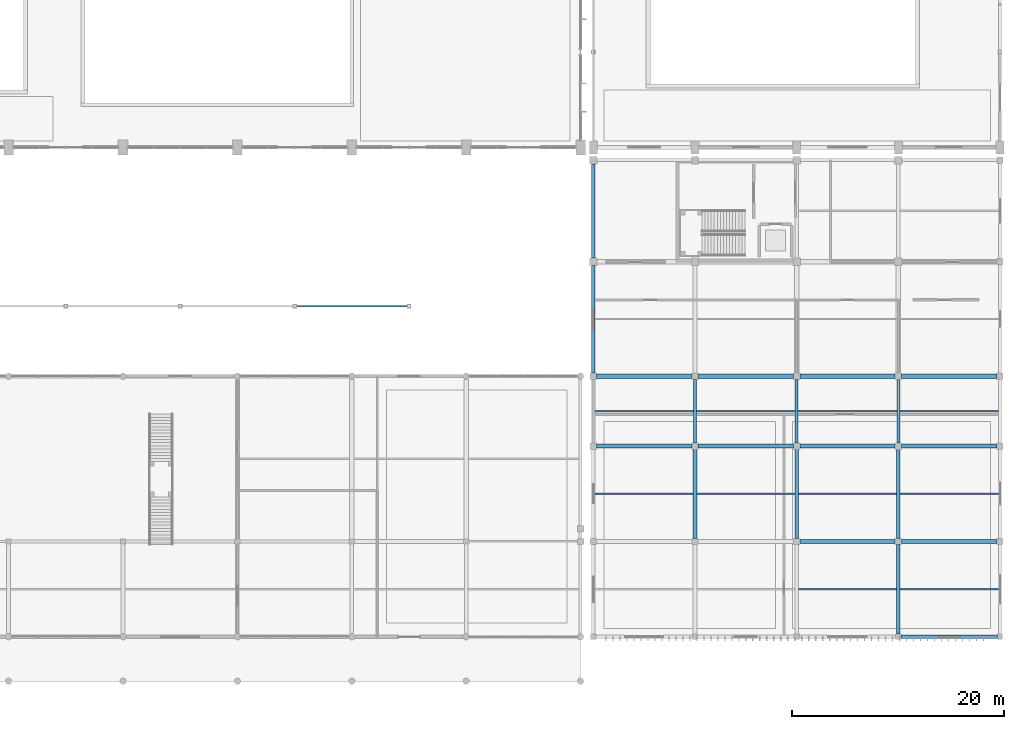
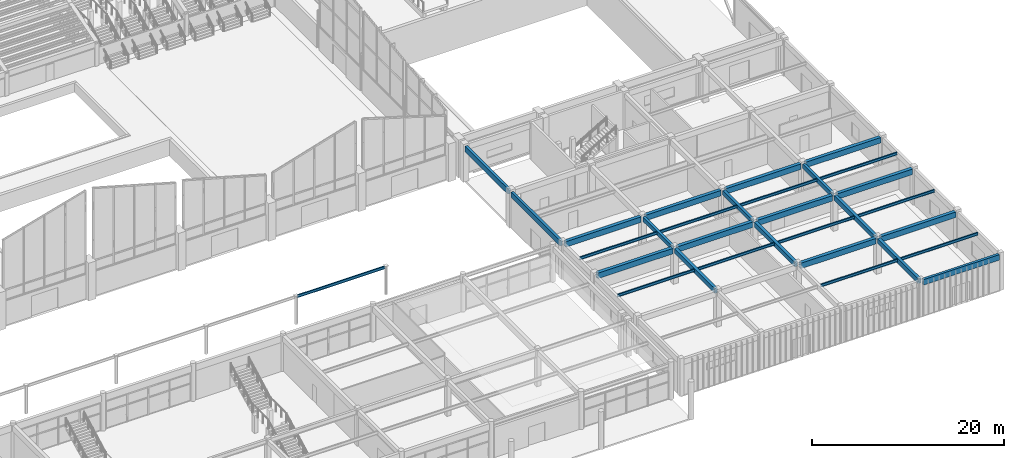
# One storey, part 34 of 82: 31 beams.
"""IFC4 building model written with IfcOpenShell, lengths in metres."""

from ifc_helpers import new_model, si_unit, direction, frame, origin, origin_2d, place, context, subcontext, project, spatial, rectangle, i_section, extrude, material, material_profile, profile_set, type_object, element, save


model = new_model("IFC4")

# Units and contexts
model_context = context("Model", 3, precision=1e-05, world=origin(), true_north=direction((0.0, 1.0)))
body_context = subcontext(model_context, "Body", "Model", "MODEL_VIEW")
ifc_project = project(units=[si_unit("LENGTHUNIT", "METRE"), si_unit("AREAUNIT", "SQUARE_METRE"), si_unit("VOLUMEUNIT", "CUBIC_METRE"), si_unit("PLANEANGLEUNIT", "RADIAN"), si_unit("MASSUNIT", "GRAM", prefix="KILO")], contexts=[model_context])

# Site, building, storey
site_placement = place(None, origin())
site = spatial("IfcSite", under=ifc_project, at=site_placement, CompositionType="ELEMENT")
building_placement = place(site_placement, origin())
building = spatial("IfcBuilding", under=site, at=building_placement, Name="Suirenkawa Promenade Aquatics Centre", CompositionType="ELEMENT")
storey_placement = place(building_placement, origin())
storey = spatial("IfcBuildingStorey", under=building, at=storey_placement, Name="L00", CompositionType="ELEMENT", Elevation=0.0)

# Beams
ifc_material_1 = material(Name="Steel IS 2062 E350 (Grade 350)", Category="steel")
ifc_material_profile_1 = material_profile(ifc_material_1, i_section(OverallWidth=0.139892578125, OverallDepth=0.35009765625, WebThickness=0.008056640625, FlangeThickness=0.013916015625, at=origin_2d()), Name="ISMB 350", Category="steel")
ifc_profile_set_1 = profile_set([ifc_material_profile_1], Name="Steel IS 2062 E350 (Grade 350)")
beam_type_1 = type_object("IfcBeamType", Name="BT-JOIST-ISMB350", PredefinedType="JOIST", material=ifc_profile_set_1)
beam_1_placement = place(storey_placement, frame((127.89990234375, 35.39990234375, 3.425048828125), z_axis=(1.0, 0.0, 0.0), x_axis=(0.0, 1.0, 0.0)))
element("IfcBeam", 1, at=beam_1_placement, inside=storey, type_object=beam_type_1, Name="Cloister canopy beam JS-03 BM-1344", PredefinedType="JOIST", context=body_context, shape_type="SweptSolid", body=[
    extrude(i_section(OverallWidth=0.139892578125, OverallDepth=0.35009765625, WebThickness=0.008056640625, FlangeThickness=0.013916015625, at=origin_2d()), origin(), (0.0, 0.0, 1.0), 10.60009765625),
])
beam_2_placement = place(storey_placement, frame((156.14404296875, 17.699951171875, 4.363037109375), z_axis=(1.0, 0.0, 0.0), x_axis=(0.0, 1.0, 0.0)))
element("IfcBeam", 2, at=beam_2_placement, inside=storey, type_object=beam_type_1, Name="Secondary floor joist JS-03 BM-1658", PredefinedType="JOIST", context=body_context, shape_type="SweptSolid", body=[
    extrude(i_section(OverallWidth=0.139892578125, OverallDepth=0.35009765625, WebThickness=0.008056640625, FlangeThickness=0.013916015625, at=origin_2d()), origin(), (0.0, 0.0, 1.0), 9.286865234375),
])
beam_3_placement = place(storey_placement, frame((156.14404296875, 25.5, 4.363037109375), z_axis=(1.0, 0.0, 0.0), x_axis=(0.0, 1.0, 0.0)))
element("IfcBeam", 3, at=beam_3_placement, inside=storey, type_object=beam_type_1, Name="Secondary floor joist JS-03 BM-1659", PredefinedType="JOIST", context=body_context, shape_type="SweptSolid", body=[
    extrude(i_section(OverallWidth=0.139892578125, OverallDepth=0.35009765625, WebThickness=0.008056640625, FlangeThickness=0.013916015625, at=origin_2d()), origin(), (0.0, 0.0, 1.0), 9.31201171875),
])
beam_4_placement = place(storey_placement, frame((165.76904296875, 17.699951171875, 4.363037109375), z_axis=(1.0, 0.0, 0.0), x_axis=(0.0, 1.0, 0.0)))
element("IfcBeam", 4, at=beam_4_placement, inside=storey, type_object=beam_type_1, Name="Secondary floor joist JS-03 BM-1662", PredefinedType="JOIST", context=body_context, shape_type="SweptSolid", body=[
    extrude(i_section(OverallWidth=0.139892578125, OverallDepth=0.35009765625, WebThickness=0.008056640625, FlangeThickness=0.013916015625, at=origin_2d()), origin(), (0.0, 0.0, 1.0), 9.261962890625),
])
beam_5_placement = place(storey_placement, frame((165.743896484375, 25.5, 4.363037109375), z_axis=(1.0, 0.0, 0.0), x_axis=(0.0, 1.0, 0.0)))
element("IfcBeam", 5, at=beam_5_placement, inside=storey, type_object=beam_type_1, Name="Secondary floor joist JS-03 BM-1663", PredefinedType="JOIST", context=body_context, shape_type="SweptSolid", body=[
    extrude(i_section(OverallWidth=0.139892578125, OverallDepth=0.35009765625, WebThickness=0.008056640625, FlangeThickness=0.013916015625, at=origin_2d()), origin(), (0.0, 0.0, 1.0), 9.31201171875),
])
for number, where, z_axis, x_axis, name in (
    (6, (175.368896484375, 8.699951171875, 4.363037109375), (1.0, 0.0, 0.0), (0.0, 1.0, 0.0), "Secondary floor joist JS-03 BM-1665"),
    (7, (175.368896484375, 17.699951171875, 4.363037109375), (1.0, 0.0, 0.0), (0.0, 1.0, 0.0), "Secondary floor joist JS-03 BM-1666"),
):
    element("IfcBeam", number, at=place(storey_placement, frame(where, z_axis=z_axis, x_axis=x_axis)), inside=storey, type_object=beam_type_1, Name=name, PredefinedType="JOIST", context=body_context, shape_type="SweptSolid", body=[
        extrude(i_section(OverallWidth=0.139892578125, OverallDepth=0.35009765625, WebThickness=0.008056640625, FlangeThickness=0.013916015625, at=origin_2d()), origin(), (0.0, 0.0, 1.0), 9.26220703125),
    ])
beam_6_placement = place(storey_placement, frame((175.343994140625, 25.5, 4.363037109375), z_axis=(1.0, 0.0, 0.0), x_axis=(0.0, 1.0, 0.0)))
element("IfcBeam", 8, at=beam_6_placement, inside=storey, type_object=beam_type_1, Name="Secondary floor joist JS-03 BM-1667", PredefinedType="JOIST", context=body_context, shape_type="SweptSolid", body=[
    extrude(i_section(OverallWidth=0.139892578125, OverallDepth=0.35009765625, WebThickness=0.008056640625, FlangeThickness=0.013916015625, at=origin_2d()), origin(), (0.0, 0.0, 1.0), 9.31201171875),
])
for number, where, z_axis, x_axis, name in (
    (9, (184.968994140625, 8.699951171875, 4.363037109375), (1.0, 0.0, 0.0), (0.0, 1.0, 0.0), "Secondary floor joist JS-03 BM-1670"),
    (10, (184.968994140625, 17.699951171875, 4.363037109375), (1.0, 0.0, 0.0), (0.0, 1.0, 0.0), "Secondary floor joist JS-03 BM-1671"),
):
    element("IfcBeam", number, at=place(storey_placement, frame(where, z_axis=z_axis, x_axis=x_axis)), inside=storey, type_object=beam_type_1, Name=name, PredefinedType="JOIST", context=body_context, shape_type="SweptSolid", body=[
        extrude(i_section(OverallWidth=0.139892578125, OverallDepth=0.35009765625, WebThickness=0.008056640625, FlangeThickness=0.013916015625, at=origin_2d()), origin(), (0.0, 0.0, 1.0), 9.287109375),
    ])
beam_7_placement = place(storey_placement, frame((184.944091796875, 25.5, 4.363037109375), z_axis=(1.0, 0.0, 0.0), x_axis=(0.0, 1.0, 0.0)))
element("IfcBeam", 11, at=beam_7_placement, inside=storey, type_object=beam_type_1, Name="Secondary floor joist JS-03 BM-1672", PredefinedType="JOIST", context=body_context, shape_type="SweptSolid", body=[
    extrude(i_section(OverallWidth=0.139892578125, OverallDepth=0.35009765625, WebThickness=0.008056640625, FlangeThickness=0.013916015625, at=origin_2d()), origin(), (0.0, 0.0, 1.0), 9.31201171875),
])
ifc_material_2 = material(Name="Concrete M35", Category="concrete")
ifc_material_profile_2 = material_profile(ifc_material_2, rectangle(XDim=0.300048828125, YDim=0.550048828125, at=origin_2d()), Name="RC BM 300x550", Category="concrete")
ifc_profile_set_2 = profile_set([ifc_material_profile_2], Name="Concrete M35")
beam_type_2 = type_object("IfcBeamType", Name="BT-RC-300x550", PredefinedType="BEAM", material=ifc_profile_set_2)
for number, where, z_axis, x_axis, name in (
    (12, (165.60009765625, 22.493896484375, 4.264892578125), (0.0, 1.0, 0.0), (-1.0, 0.0, 0.0), "Floor beam BM-01 BM-1640"),
    (13, (175.199951171875, 22.493896484375, 4.264892578125), (0.0, 1.0, 0.0), (-1.0, 0.0, 0.0), "Floor beam BM-01 BM-1644"),
    (14, (184.800048828125, 22.493896484375, 4.264892578125), (0.0, 1.0, 0.0), (-1.0, 0.0, 0.0), "Floor beam BM-01 BM-1649"),
):
    element("IfcBeam", number, at=place(storey_placement, frame(where, z_axis=z_axis, x_axis=x_axis)), inside=storey, type_object=beam_type_2, Name=name, PredefinedType="BEAM", context=body_context, shape_type="SweptSolid", body=[
        extrude(rectangle(XDim=0.300048828125, YDim=0.550048828125, at=origin_2d()), origin(), (0.0, 0.0, 1.0), 6.01220703125),
    ])
ifc_material_profile_3 = material_profile(ifc_material_2, rectangle(XDim=0.35009765625, YDim=0.60009765625, at=origin_2d()), Name="RC BM 350x600", Category="concrete")
ifc_profile_set_3 = profile_set([ifc_material_profile_3], Name="Concrete M35")
beam_type_3 = type_object("IfcBeamType", Name="BT-RC-350x600", PredefinedType="BEAM", material=ifc_profile_set_3)
for number, where, z_axis, x_axis, name in (
    (15, (165.60009765625, 13.493896484375, 4.239990234375), (0.0, 1.0, 0.0), (-1.0, 0.0, 0.0), "Floor beam BM-02 BM-1639"),
    (16, (175.199951171875, 13.493896484375, 4.239990234375), (0.0, 1.0, 0.0), (-1.0, 0.0, 0.0), "Floor beam BM-02 BM-1643"),
):
    element("IfcBeam", number, at=place(storey_placement, frame(where, z_axis=z_axis, x_axis=x_axis)), inside=storey, type_object=beam_type_3, Name=name, PredefinedType="BEAM", context=body_context, shape_type="SweptSolid", body=[
        extrude(rectangle(XDim=0.35009765625, YDim=0.60009765625, at=origin_2d()), origin(), (0.0, 0.0, 1.0), 8.412109375),
    ])
beam_8_placement = place(storey_placement, frame((184.800048828125, 4.444091796875, 4.239990234375), z_axis=(0.0, 1.0, 0.0), x_axis=(-1.0, 0.0, 0.0)))
element("IfcBeam", 17, at=beam_8_placement, inside=storey, type_object=beam_type_3, Name="Floor beam BM-02 BM-1647", PredefinedType="BEAM", context=body_context, shape_type="SweptSolid", body=[
    extrude(rectangle(XDim=0.35009765625, YDim=0.60009765625, at=origin_2d()), origin(), (0.0, 0.0, 1.0), 8.4619140625),
])
beam_9_placement = place(storey_placement, frame((184.800048828125, 13.493896484375, 4.239990234375), z_axis=(0.0, 1.0, 0.0), x_axis=(-1.0, 0.0, 0.0)))
element("IfcBeam", 18, at=beam_9_placement, inside=storey, type_object=beam_type_3, Name="Floor beam BM-02 BM-1648", PredefinedType="BEAM", context=body_context, shape_type="SweptSolid", body=[
    extrude(rectangle(XDim=0.35009765625, YDim=0.60009765625, at=origin_2d()), origin(), (0.0, 0.0, 1.0), 8.412109375),
])
ifc_material_profile_4 = material_profile(ifc_material_2, rectangle(XDim=0.39990234375, YDim=0.699951171875, at=origin_2d()), Name="RC BM 400x700", Category="concrete")
ifc_profile_set_4 = profile_set([ifc_material_profile_4], Name="Concrete M35")
beam_type_4 = type_object("IfcBeamType", Name="BT-RC-400x700", PredefinedType="BEAM", material=ifc_profile_set_4)
beam_10_placement = place(storey_placement, frame((175.493896484375, 13.199951171875, 4.18994140625), z_axis=(1.0, 0.0, 0.0), x_axis=(0.0, 1.0, 0.0)))
element("IfcBeam", 19, at=beam_10_placement, inside=storey, type_object=beam_type_4, Name="Floor beam BM-04 BM-1615", PredefinedType="BEAM", context=body_context, shape_type="SweptSolid", body=[
    extrude(rectangle(XDim=0.39990234375, YDim=0.699951171875, at=origin_2d()), origin(), (0.0, 0.0, 1.0), 9.01220703125),
])
for number, where, z_axis, x_axis, name in (
    (20, (185.093994140625, 13.199951171875, 4.18994140625), (1.0, 0.0, 0.0), (0.0, 1.0, 0.0), "Floor beam BM-04 BM-1616"),
    (21, (156.2939453125, 22.199951171875, 4.18994140625), (1.0, 0.0, 0.0), (0.0, 1.0, 0.0), "Floor beam BM-04 BM-1617"),
    (22, (165.89404296875, 22.199951171875, 4.18994140625), (1.0, 0.0, 0.0), (0.0, 1.0, 0.0), "Floor beam BM-04 BM-1618"),
):
    element("IfcBeam", number, at=place(storey_placement, frame(where, z_axis=z_axis, x_axis=x_axis)), inside=storey, type_object=beam_type_4, Name=name, PredefinedType="BEAM", context=body_context, shape_type="SweptSolid", body=[
        extrude(rectangle(XDim=0.39990234375, YDim=0.699951171875, at=origin_2d()), origin(), (0.0, 0.0, 1.0), 9.011962890625),
    ])
beam_11_placement = place(storey_placement, frame((175.493896484375, 22.199951171875, 4.18994140625), z_axis=(1.0, 0.0, 0.0), x_axis=(0.0, 1.0, 0.0)))
element("IfcBeam", 23, at=beam_11_placement, inside=storey, type_object=beam_type_4, Name="Floor beam BM-04 BM-1619", PredefinedType="BEAM", context=body_context, shape_type="SweptSolid", body=[
    extrude(rectangle(XDim=0.39990234375, YDim=0.699951171875, at=origin_2d()), origin(), (0.0, 0.0, 1.0), 9.01220703125),
])
for number, where, z_axis, x_axis, name in (
    (24, (185.093994140625, 22.199951171875, 4.18994140625), (1.0, 0.0, 0.0), (0.0, 1.0, 0.0), "Floor beam BM-04 BM-1620"),
    (25, (156.2939453125, 28.800048828125, 4.18994140625), (1.0, 0.0, 0.0), (0.0, 1.0, 0.0), "Floor beam BM-04 BM-1621"),
    (26, (165.89404296875, 28.800048828125, 4.18994140625), (1.0, 0.0, 0.0), (0.0, 1.0, 0.0), "Floor beam BM-04 BM-1622"),
):
    element("IfcBeam", number, at=place(storey_placement, frame(where, z_axis=z_axis, x_axis=x_axis)), inside=storey, type_object=beam_type_4, Name=name, PredefinedType="BEAM", context=body_context, shape_type="SweptSolid", body=[
        extrude(rectangle(XDim=0.39990234375, YDim=0.699951171875, at=origin_2d()), origin(), (0.0, 0.0, 1.0), 9.011962890625),
    ])
beam_12_placement = place(storey_placement, frame((175.493896484375, 28.800048828125, 4.18994140625), z_axis=(1.0, 0.0, 0.0), x_axis=(0.0, 1.0, 0.0)))
element("IfcBeam", 27, at=beam_12_placement, inside=storey, type_object=beam_type_4, Name="Floor beam BM-04 BM-1623", PredefinedType="BEAM", context=body_context, shape_type="SweptSolid", body=[
    extrude(rectangle(XDim=0.39990234375, YDim=0.699951171875, at=origin_2d()), origin(), (0.0, 0.0, 1.0), 9.01220703125),
])
beam_13_placement = place(storey_placement, frame((185.093994140625, 28.800048828125, 4.18994140625), z_axis=(1.0, 0.0, 0.0), x_axis=(0.0, 1.0, 0.0)))
element("IfcBeam", 28, at=beam_13_placement, inside=storey, type_object=beam_type_4, Name="Floor beam BM-04 BM-1624", PredefinedType="BEAM", context=body_context, shape_type="SweptSolid", body=[
    extrude(rectangle(XDim=0.39990234375, YDim=0.699951171875, at=origin_2d()), origin(), (0.0, 0.0, 1.0), 9.011962890625),
])
ifc_material_3 = material(Name="Concrete M40", Category="concrete")
ifc_material_profile_5 = material_profile(ifc_material_3, rectangle(XDim=0.300048828125, YDim=0.699951171875, at=origin_2d()), Name="RC SPANDREL 300x700", Category="concrete")
ifc_profile_set_5 = profile_set([ifc_material_profile_5], Name="Concrete M40")
beam_type_5 = type_object("IfcBeamType", Name="BT-SPANDREL-300x700", PredefinedType="SPANDREL", material=ifc_profile_set_5)
beam_14_placement = place(storey_placement, frame((185.0439453125, 4.199951171875, 4.18994140625), z_axis=(1.0, 0.0, 0.0), x_axis=(0.0, 1.0, 0.0)))
element("IfcBeam", 29, at=beam_14_placement, inside=storey, type_object=beam_type_5, Name="Floor beam SP-01 BM-1612", PredefinedType="SPANDREL", context=body_context, shape_type="SweptSolid", body=[
    extrude(rectangle(XDim=0.300048828125, YDim=0.699951171875, at=origin_2d()), origin(), (0.0, 0.0, 1.0), 9.112060546875),
])
beam_15_placement = place(storey_placement, frame((156.0, 29.093994140625, 4.18994140625), z_axis=(0.0, 1.0, 0.0), x_axis=(-1.0, 0.0, 0.0)))
element("IfcBeam", 30, at=beam_15_placement, inside=storey, type_object=beam_type_5, Name="Floor beam SP-01 BM-1636", PredefinedType="SPANDREL", context=body_context, shape_type="SweptSolid", body=[
    extrude(rectangle(XDim=0.300048828125, YDim=0.699951171875, at=origin_2d()), origin(), (0.0, 0.0, 1.0), 10.162109375),
])
beam_16_placement = place(storey_placement, frame((156.0, 39.944091796875, 4.18994140625), z_axis=(0.0, 1.0, 0.0), x_axis=(-1.0, 0.0, 0.0)))
element("IfcBeam", 31, at=beam_16_placement, inside=storey, type_object=beam_type_5, Name="Floor beam SP-01 BM-1637", PredefinedType="SPANDREL", context=body_context, shape_type="SweptSolid", body=[
    extrude(rectangle(XDim=0.300048828125, YDim=0.699951171875, at=origin_2d()), origin(), (0.0, 0.0, 1.0), 8.911865234375),
])

save(model, "model.ifc")
